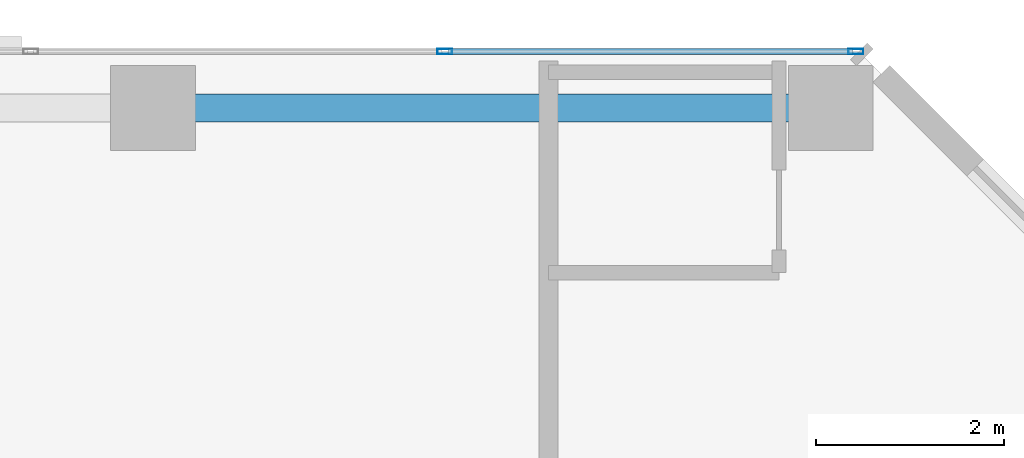
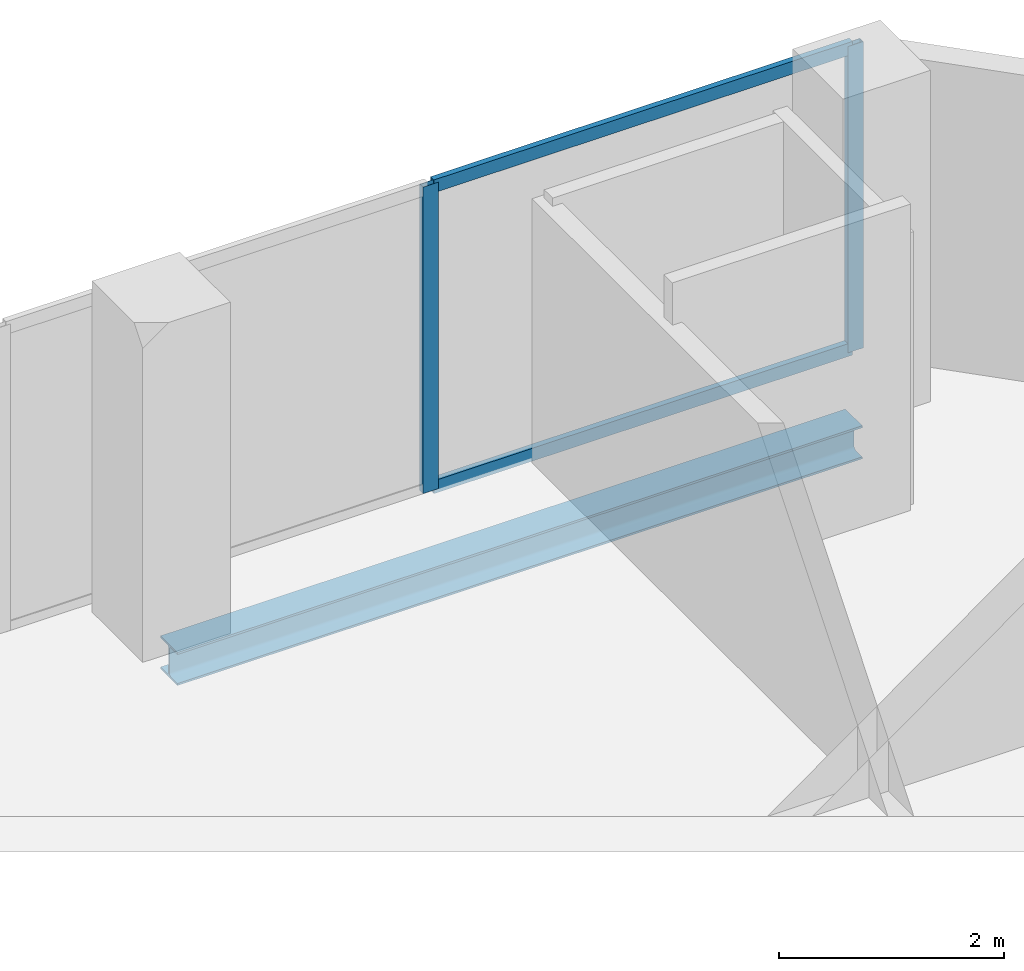
# One storey, part 25 of 34: 4 members, 1 beam, 1 element without a shape of its own.
"""IFC4 building model written with IfcOpenShell, lengths in metres."""

from ifc_helpers import new_model, si_unit, direction, frame, origin, origin_2d, place, context, subcontext, project, spatial, hollow_rectangle, i_section, extrude, material, layer, layer_set, material_profile, profile_set, type_object, element, aggregate, save


model = new_model("IFC4")

# Units and contexts
model_context = context("Model", 3, precision=1e-05, world=origin(), true_north=direction((0.0, 1.0)))
body_context = subcontext(model_context, "Body", "Model", "MODEL_VIEW")
ifc_project = project(units=[si_unit("LENGTHUNIT", "METRE"), si_unit("AREAUNIT", "SQUARE_METRE"), si_unit("VOLUMEUNIT", "CUBIC_METRE"), si_unit("PLANEANGLEUNIT", "RADIAN"), si_unit("MASSUNIT", "GRAM", prefix="KILO")], contexts=[model_context])

# Site, building, storey
site_placement = place(None, origin())
site = spatial("IfcSite", under=ifc_project, at=site_placement, CompositionType="ELEMENT")
building_placement = place(site_placement, origin())
building = spatial("IfcBuilding", under=site, at=building_placement, Name="Catumbela Crestline Tower", CompositionType="ELEMENT")
storey_placement = place(building_placement, frame((0.0, 0.0, 115.2)))
storey = spatial("IfcBuildingStorey", under=building, at=storey_placement, Name="L29", CompositionType="ELEMENT", Elevation=115.2)

# Curtain wall, members
ifc_material_1 = material(Name="Aluminium alloy AW-6060-T66", Category="aluminium")
ifc_layer = layer(ifc_material_1, 0.18, Name="Aluminium alloy AW-6060-T66")
ifc_layer_set = layer_set([ifc_layer], Name="Aluminium alloy AW-6060-T66")
curtain_wall_type = type_object("IfcCurtainWallType", Name="CWU-Z2", PredefinedType="USERDEFINED", material=ifc_layer_set)
curtain_wall_placement = place(storey_placement, origin())
curtain_wall = element("IfcCurtainWall", 1, at=curtain_wall_placement, inside=storey, type_object=curtain_wall_type, Name="L29 Unitised Curtain Wall CW-L29-E7S1", ObjectType="UNITISED", PredefinedType="USERDEFINED")
ifc_material_profile_1 = material_profile(ifc_material_1, hollow_rectangle(XDim=0.06, YDim=0.16, WallThickness=0.004, at=origin_2d()), Name="ALU 160x60x4")
ifc_profile_set_1 = profile_set([ifc_material_profile_1], Name="Aluminium alloy AW-6060-T66")
member_type_1 = type_object("IfcMemberType", Name="MUL-160X60", PredefinedType="MULLION", material=ifc_profile_set_1)
member_1_placement = place(storey_placement, frame((47.4675, 48.0, 0.0), z_axis=(0.0, 0.0, 1.0), x_axis=(0.0, -1.0, 0.0)))
member_1 = element("IfcMember", 2, at=member_1_placement, type_object=member_type_1, Name="CWU-Z2 mullion 1", PredefinedType="MULLION", context=body_context, shape_type="SweptSolid", body=[
    extrude(hollow_rectangle(XDim=0.06, YDim=0.16, WallThickness=0.004, at=origin_2d()), origin(), (0.0, 0.0, 1.0), 3.33),
])
member_2_placement = place(storey_placement, frame((43.1, 48.0, 0.0), z_axis=(0.0, 0.0, 1.0), x_axis=(0.0, -1.0, 0.0)))
member_2 = element("IfcMember", 3, at=member_2_placement, type_object=member_type_1, Name="CWU-Z2 mullion 2", PredefinedType="MULLION", context=body_context, shape_type="SweptSolid", body=[
    extrude(hollow_rectangle(XDim=0.06, YDim=0.16, WallThickness=0.004, at=origin_2d()), origin(), (0.0, 0.0, 1.0), 3.33),
])

# Beam
ifc_material_2 = material(Name="Structural steel S355J2", Category="steel")
ifc_material_profile_2 = material_profile(ifc_material_2, i_section(OverallWidth=0.3, OverallDepth=0.36, WebThickness=0.0125, FlangeThickness=0.0225, FilletRadius=0.027, at=origin_2d()), Name="HEB 360")
ifc_profile_set_2 = profile_set([ifc_material_profile_2], Name="Structural steel S355J2")
beam_type = type_object("IfcBeamType", Name="BS-HEB360", PredefinedType="SPANDREL", material=ifc_profile_set_2)
beam_placement = place(storey_placement, frame((40.08, 47.4, -0.44), z_axis=(1.0, 0.0, 0.0), x_axis=(0.0, 1.0, 0.0)))
element("IfcBeam", 4, at=beam_placement, inside=storey, type_object=beam_type, Name="L29 Spandrel SP-L29-NF21", PredefinedType="SPANDREL", context=body_context, shape_type="SweptSolid", body=[
    extrude(i_section(OverallWidth=0.3, OverallDepth=0.36, WebThickness=0.0125, FlangeThickness=0.0225, FilletRadius=0.027, at=origin_2d()), origin(), (0.0, 0.0, 1.0), 7.04),
])

# Member
ifc_material_profile_3 = material_profile(ifc_material_1, hollow_rectangle(XDim=0.06, YDim=0.14, WallThickness=0.004, at=origin_2d()), Name="ALU 140x60x4")
ifc_profile_set_3 = profile_set([ifc_material_profile_3], Name="Aluminium alloy AW-6060-T66")
member_type_2 = type_object("IfcMemberType", Name="TRN-140X60", PredefinedType="USERDEFINED", material=ifc_profile_set_3)
member_3_placement = place(storey_placement, frame((47.435, 48.0, 0.03), z_axis=(-1.0, 0.0, 0.0), x_axis=(0.0, -1.0, 0.0)))
member_3 = element("IfcMember", 5, at=member_3_placement, type_object=member_type_2, Name="CWU-Z2 transom 1.1", ObjectType="TRANSOM", PredefinedType="USERDEFINED", context=body_context, shape_type="SweptSolid", body=[
    extrude(hollow_rectangle(XDim=0.06, YDim=0.14, WallThickness=0.004, at=origin_2d()), origin(), (0.0, 0.0, 1.0), 4.3025),
])

member_4_placement = place(storey_placement, frame((47.435, 48.0, 3.3), z_axis=(-1.0, 0.0, 0.0), x_axis=(0.0, -1.0, 0.0)))
member_4 = element("IfcMember", 6, at=member_4_placement, type_object=member_type_2, Name="CWU-Z2 transom 1.2", ObjectType="TRANSOM", PredefinedType="USERDEFINED", context=body_context, shape_type="SweptSolid", body=[
    extrude(hollow_rectangle(XDim=0.06, YDim=0.14, WallThickness=0.004, at=origin_2d()), origin(), (0.0, 0.0, 1.0), 4.3025),
])

aggregate(curtain_wall, [member_1, member_2, member_3, member_4])

save(model, "model.ifc")
